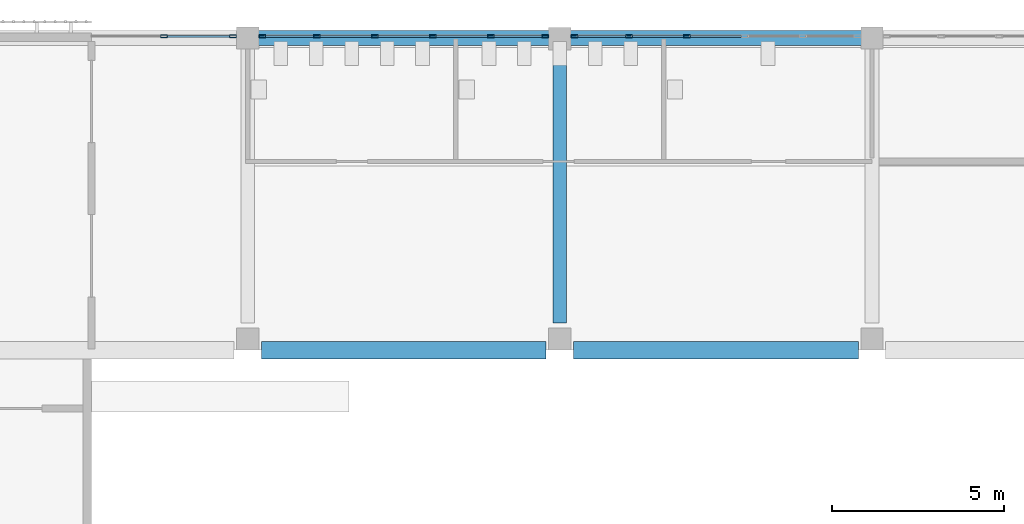
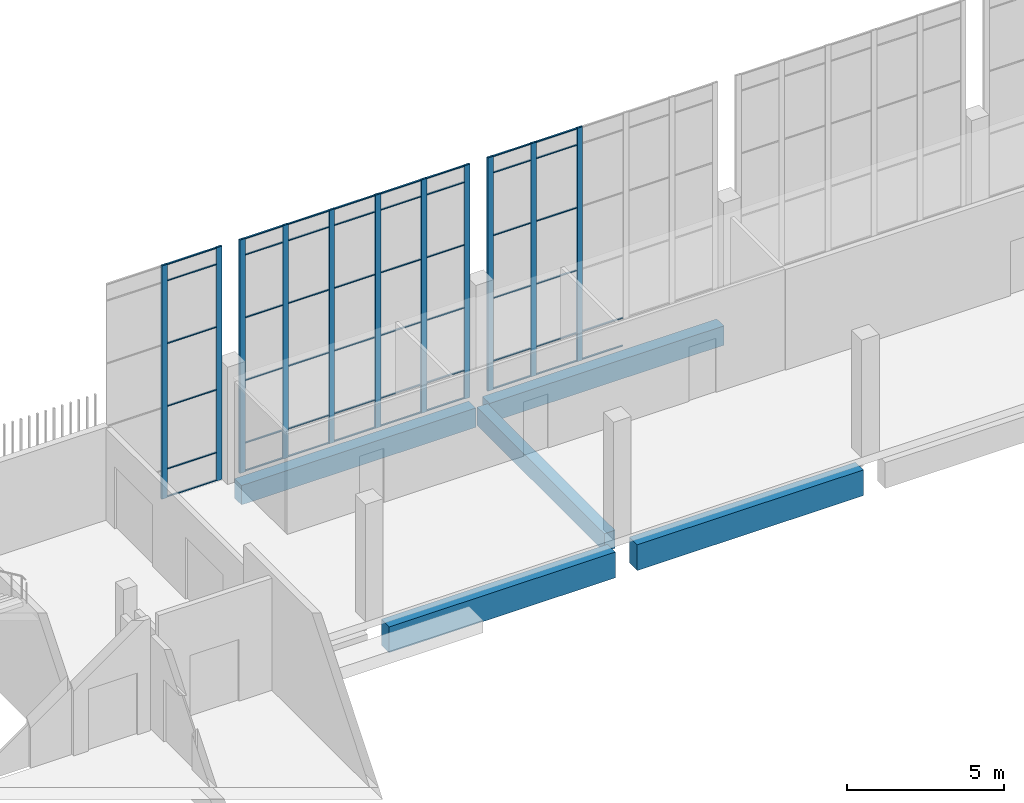
# One storey, part 18 of 91: 61 members, 5 beams, 3 elements without a shape of their own.
"""IFC4 building model written with IfcOpenShell, lengths in metres."""

from ifc_helpers import new_model, si_unit, direction, frame, origin, origin_2d, place, context, subcontext, project, spatial, rectangle, hollow_rectangle, extrude, material, layer, layer_set, material_profile, profile_set, type_object, element, aggregate, save


model = new_model("IFC4")

# Units and contexts
model_context = context("Model", 3, precision=1e-05, world=origin(), true_north=direction((0.0, 1.0)))
body_context = subcontext(model_context, "Body", "Model", "MODEL_VIEW")
ifc_project = project(units=[si_unit("LENGTHUNIT", "METRE"), si_unit("AREAUNIT", "SQUARE_METRE"), si_unit("VOLUMEUNIT", "CUBIC_METRE"), si_unit("PLANEANGLEUNIT", "RADIAN"), si_unit("MASSUNIT", "GRAM", prefix="KILO")], contexts=[model_context])

# Site, building, storey
site_placement = place(None, origin())
site = spatial("IfcSite", under=ifc_project, at=site_placement, CompositionType="ELEMENT")
building_placement = place(site_placement, origin())
building = spatial("IfcBuilding", under=site, at=building_placement, Name="Shirokan Park Arena", CompositionType="ELEMENT")
storey_placement = place(building_placement, frame((0.0, 0.0, 24.570068359375)))
storey = spatial("IfcBuildingStorey", under=building, at=storey_placement, Name="L05", CompositionType="ELEMENT", Elevation=24.570068359375)

# Curtain wall, members
ifc_material_1 = material(Name="Steel and glass curtain wall", Category="steel")
ifc_layer = layer(ifc_material_1, 0.199951171875)
ifc_layer_set = layer_set([ifc_layer], Name="Steel and glass curtain wall 200 mm")
curtain_wall_type = type_object("IfcCurtainWallType", Name="Curtain wall hall bay 200", PredefinedType="NOTDEFINED", material=ifc_layer_set)
curtain_wall_1_placement = place(storey_placement, origin())
curtain_wall_1 = element("IfcCurtainWall", 1, at=curtain_wall_1_placement, inside=storey, type_object=curtain_wall_type, Name="Curtain wall north bay 10 L05", PredefinedType="NOTDEFINED")
ifc_material_2 = material(Name="Steel S355", Category="steel")
ifc_material_profile_1 = material_profile(ifc_material_2, hollow_rectangle(XDim=0.080078125, YDim=0.199951171875, WallThickness=0.008056640625, at=origin_2d()), Name="RHS 200x80x8")
ifc_profile_set_1 = profile_set([ifc_material_profile_1], Name="Steel S355")
member_type_1 = type_object("IfcMemberType", Name="Mullion RHS 200x80x8", PredefinedType="MULLION", material=ifc_profile_set_1)
member_1_placement = place(storey_placement, frame((58.304931640625, 109.25, 0.0), z_axis=(0.0, 0.0, 1.0), x_axis=(0.0, -1.0, 0.0)))
member_1 = element("IfcMember", 2, at=member_1_placement, type_object=member_type_1, Name="CW5 mullion 4", PredefinedType="MULLION", context=body_context, shape_type="SweptSolid", body=[
    extrude(hollow_rectangle(XDim=0.080078125, YDim=0.199951171875, WallThickness=0.008056640625, at=origin_2d()), origin(), (0.0, 0.0, 1.0), 9.050048828125),
])
member_2_placement = place(storey_placement, frame((56.614990234375, 109.25, 0.0), z_axis=(0.0, 0.0, 1.0), x_axis=(0.0, -1.0, 0.0)))
member_2 = element("IfcMember", 3, at=member_2_placement, type_object=member_type_1, Name="CW5 mullion 5", PredefinedType="MULLION", context=body_context, shape_type="SweptSolid", body=[
    extrude(hollow_rectangle(XDim=0.080078125, YDim=0.199951171875, WallThickness=0.008056640625, at=origin_2d()), origin(), (0.0, 0.0, 1.0), 9.050048828125),
])
member_3_placement = place(storey_placement, frame((55.02490234375, 109.25, 0.0), z_axis=(0.0, 0.0, 1.0), x_axis=(0.0, -1.0, 0.0)))
member_3 = element("IfcMember", 4, at=member_3_placement, type_object=member_type_1, Name="CW5 mullion 6", PredefinedType="MULLION", context=body_context, shape_type="SweptSolid", body=[
    extrude(hollow_rectangle(XDim=0.080078125, YDim=0.199951171875, WallThickness=0.008056640625, at=origin_2d()), origin(), (0.0, 0.0, 1.0), 9.050048828125),
])

curtain_wall_2_placement = place(storey_placement, origin())
curtain_wall_2 = element("IfcCurtainWall", 5, at=curtain_wall_2_placement, inside=storey, type_object=curtain_wall_type, Name="Curtain wall north bay 11 L05", PredefinedType="NOTDEFINED")
member_4_placement = place(storey_placement, frame((54.175048828125, 109.25, 0.0), z_axis=(0.0, 0.0, 1.0), x_axis=(0.0, -1.0, 0.0)))
member_4 = element("IfcMember", 6, at=member_4_placement, type_object=member_type_1, Name="CW5 mullion 1", PredefinedType="MULLION", context=body_context, shape_type="SweptSolid", body=[
    extrude(hollow_rectangle(XDim=0.080078125, YDim=0.199951171875, WallThickness=0.008056640625, at=origin_2d()), origin(), (0.0, 0.0, 1.0), 9.050048828125),
])
member_5_placement = place(storey_placement, frame((52.5849609375, 109.25, 0.0), z_axis=(0.0, 0.0, 1.0), x_axis=(0.0, -1.0, 0.0)))
member_5 = element("IfcMember", 7, at=member_5_placement, type_object=member_type_1, Name="CW5 mullion 2", PredefinedType="MULLION", context=body_context, shape_type="SweptSolid", body=[
    extrude(hollow_rectangle(XDim=0.080078125, YDim=0.199951171875, WallThickness=0.008056640625, at=origin_2d()), origin(), (0.0, 0.0, 1.0), 9.050048828125),
])
member_6_placement = place(storey_placement, frame((50.89501953125, 109.25, 0.0), z_axis=(0.0, 0.0, 1.0), x_axis=(0.0, -1.0, 0.0)))
member_6 = element("IfcMember", 8, at=member_6_placement, type_object=member_type_1, Name="CW5 mullion 3", PredefinedType="MULLION", context=body_context, shape_type="SweptSolid", body=[
    extrude(hollow_rectangle(XDim=0.080078125, YDim=0.199951171875, WallThickness=0.008056640625, at=origin_2d()), origin(), (0.0, 0.0, 1.0), 9.050048828125),
])
member_7_placement = place(storey_placement, frame((49.205078125, 109.25, 0.0), z_axis=(0.0, 0.0, 1.0), x_axis=(0.0, -1.0, 0.0)))
member_7 = element("IfcMember", 9, at=member_7_placement, type_object=member_type_1, Name="CW5 mullion 4", PredefinedType="MULLION", context=body_context, shape_type="SweptSolid", body=[
    extrude(hollow_rectangle(XDim=0.080078125, YDim=0.199951171875, WallThickness=0.008056640625, at=origin_2d()), origin(), (0.0, 0.0, 1.0), 9.050048828125),
])
member_8_placement = place(storey_placement, frame((47.514892578125, 109.25, 0.0), z_axis=(0.0, 0.0, 1.0), x_axis=(0.0, -1.0, 0.0)))
member_8 = element("IfcMember", 10, at=member_8_placement, type_object=member_type_1, Name="CW5 mullion 5", PredefinedType="MULLION", context=body_context, shape_type="SweptSolid", body=[
    extrude(hollow_rectangle(XDim=0.080078125, YDim=0.199951171875, WallThickness=0.008056640625, at=origin_2d()), origin(), (0.0, 0.0, 1.0), 9.050048828125),
])
member_9_placement = place(storey_placement, frame((45.925048828125, 109.25, 0.0), z_axis=(0.0, 0.0, 1.0), x_axis=(0.0, -1.0, 0.0)))
member_9 = element("IfcMember", 11, at=member_9_placement, type_object=member_type_1, Name="CW5 mullion 6", PredefinedType="MULLION", context=body_context, shape_type="SweptSolid", body=[
    extrude(hollow_rectangle(XDim=0.080078125, YDim=0.199951171875, WallThickness=0.008056640625, at=origin_2d()), origin(), (0.0, 0.0, 1.0), 9.050048828125),
])

curtain_wall_3_placement = place(storey_placement, origin())
curtain_wall_3 = element("IfcCurtainWall", 12, at=curtain_wall_3_placement, inside=storey, type_object=curtain_wall_type, Name="Curtain wall north bay 12 L05", PredefinedType="NOTDEFINED")
member_10_placement = place(storey_placement, frame((45.074951171875, 109.25, 0.0), z_axis=(0.0, 0.0, 1.0), x_axis=(0.0, -1.0, 0.0)))
member_10 = element("IfcMember", 13, at=member_10_placement, type_object=member_type_1, Name="CW5 mullion 1", PredefinedType="MULLION", context=body_context, shape_type="SweptSolid", body=[
    extrude(hollow_rectangle(XDim=0.080078125, YDim=0.199951171875, WallThickness=0.008056640625, at=origin_2d()), origin(), (0.0, 0.0, 1.0), 9.050048828125),
])
member_11_placement = place(storey_placement, frame((43.0625, 109.25, 0.0), z_axis=(0.0, 0.0, 1.0), x_axis=(0.0, -1.0, 0.0)))
member_11 = element("IfcMember", 14, at=member_11_placement, type_object=member_type_1, Name="CW5 mullion 2", PredefinedType="MULLION", context=body_context, shape_type="SweptSolid", body=[
    extrude(hollow_rectangle(XDim=0.080078125, YDim=0.199951171875, WallThickness=0.008056640625, at=origin_2d()), origin(), (0.0, 0.0, 1.0), 9.050048828125),
])

# Beams
ifc_material_3 = material(Name="Concrete C35", Category="concrete")
ifc_material_profile_2 = material_profile(ifc_material_3, rectangle(XDim=0.39990234375, YDim=0.699951171875, at=origin_2d()), Name="400x700")
ifc_profile_set_2 = profile_set([ifc_material_profile_2], Name="Concrete C35")
beam_type_1 = type_object("IfcBeamType", Name="RC girder 400x700", PredefinedType="BEAM", material=ifc_profile_set_2)
beam_placement = place(storey_placement, frame((54.60009765625, 100.900146484375, -0.650146484375), z_axis=(0.0, 1.0, 0.0), x_axis=(-1.0, 0.0, 0.0)))
element("IfcBeam", 15, at=beam_placement, inside=storey, type_object=beam_type_1, Name="Girder 7M-7N L05", PredefinedType="BEAM", context=body_context, shape_type="SweptSolid", body=[
    extrude(rectangle(XDim=0.39990234375, YDim=0.699951171875, at=origin_2d()), origin(), (0.0, 0.0, 1.0), 8.099853515625),
])
ifc_material_profile_3 = material_profile(ifc_material_3, rectangle(XDim=0.449951171875, YDim=0.75, at=origin_2d()), Name="450x750")
ifc_profile_set_3 = profile_set([ifc_material_profile_3], Name="Concrete C35")
beam_type_2 = type_object("IfcBeamType", Name="RC girder 450x750", PredefinedType="BEAM", material=ifc_profile_set_3)
for number, where, z_axis, x_axis, name in (
    (16, (45.75, 109.199951171875, -0.675048828125), (1.0, 0.0, 0.0), (0.0, 1.0, 0.0), "Girder 6N-7N L05"),
    (17, (54.85009765625, 109.199951171875, -0.675048828125), (1.0, 0.0, 0.0), (0.0, 1.0, 0.0), "Girder 7N-8N L05"),
):
    element("IfcBeam", number, at=place(storey_placement, frame(where, z_axis=z_axis, x_axis=x_axis)), inside=storey, type_object=beam_type_2, Name=name, PredefinedType="BEAM", context=body_context, shape_type="SweptSolid", body=[
        extrude(rectangle(XDim=0.449951171875, YDim=0.75, at=origin_2d()), origin(), (0.0, 0.0, 1.0), 8.599853515625),
    ])
ifc_material_profile_4 = material_profile(ifc_material_3, rectangle(XDim=0.5, YDim=1.0, at=origin_2d()), Name="500x1000")
ifc_profile_set_4 = profile_set([ifc_material_profile_4], Name="Concrete C35")
beam_type_3 = type_object("IfcBeamType", Name="RC girder 500x1000", PredefinedType="BEAM", material=ifc_profile_set_4)
for number, where, z_axis, x_axis, name in (
    (18, (45.900146484375, 100.10009765625, -0.800048828125), (1.0, 0.0, 0.0), (0.0, 1.0, 0.0), "Girder 6M-7M L05"),
    (19, (55.0, 100.10009765625, -0.800048828125), (1.0, 0.0, 0.0), (0.0, 1.0, 0.0), "Girder 7M-8M L05"),
):
    element("IfcBeam", number, at=place(storey_placement, frame(where, z_axis=z_axis, x_axis=x_axis)), inside=storey, type_object=beam_type_3, Name=name, PredefinedType="BEAM", context=body_context, shape_type="SweptSolid", body=[
        extrude(rectangle(XDim=0.5, YDim=1.0, at=origin_2d()), origin(), (0.0, 0.0, 1.0), 8.2998046875),
    ])

# Member
ifc_material_profile_5 = material_profile(ifc_material_2, hollow_rectangle(XDim=0.06005859375, YDim=0.0400390625, WallThickness=0.00390625, at=origin_2d()), Name="RHS 60x40x4")
ifc_profile_set_5 = profile_set([ifc_material_profile_5], Name="Steel S355")
member_type_2 = type_object("IfcMemberType", Name="Transom RHS 60x40x4", PredefinedType="MULLION", material=ifc_profile_set_5)
member_12_placement = place(storey_placement, frame((59.89501953125, 109.25, 0.02001953125), z_axis=(-1.0, 0.0, 0.0), x_axis=(0.0, -1.0, 0.0)))
member_12 = element("IfcMember", 20, at=member_12_placement, type_object=member_type_2, Name="CW5 transom 3.1", PredefinedType="MULLION", context=body_context, shape_type="SweptSolid", body=[
    extrude(hollow_rectangle(XDim=0.06005859375, YDim=0.0400390625, WallThickness=0.00390625, at=origin_2d()), origin(), (0.0, 0.0, 1.0), 1.489990234375),
])

member_13_placement = place(storey_placement, frame((59.89501953125, 109.25, 1.099853515625), z_axis=(-1.0, 0.0, 0.0), x_axis=(0.0, -1.0, 0.0)))
member_13 = element("IfcMember", 21, at=member_13_placement, type_object=member_type_2, Name="CW5 transom 3.2", PredefinedType="MULLION", context=body_context, shape_type="SweptSolid", body=[
    extrude(hollow_rectangle(XDim=0.06005859375, YDim=0.0400390625, WallThickness=0.00390625, at=origin_2d()), origin(), (0.0, 0.0, 1.0), 1.489990234375),
])

member_14_placement = place(storey_placement, frame((58.205078125, 109.25, 0.02001953125), z_axis=(-1.0, 0.0, 0.0), x_axis=(0.0, -1.0, 0.0)))
member_14 = element("IfcMember", 22, at=member_14_placement, type_object=member_type_2, Name="CW5 transom 4.1", PredefinedType="MULLION", context=body_context, shape_type="SweptSolid", body=[
    extrude(hollow_rectangle(XDim=0.06005859375, YDim=0.0400390625, WallThickness=0.00390625, at=origin_2d()), origin(), (0.0, 0.0, 1.0), 1.489990234375),
])

member_15_placement = place(storey_placement, frame((58.205078125, 109.25, 1.099853515625), z_axis=(-1.0, 0.0, 0.0), x_axis=(0.0, -1.0, 0.0)))
member_15 = element("IfcMember", 23, at=member_15_placement, type_object=member_type_2, Name="CW5 transom 4.2", PredefinedType="MULLION", context=body_context, shape_type="SweptSolid", body=[
    extrude(hollow_rectangle(XDim=0.06005859375, YDim=0.0400390625, WallThickness=0.00390625, at=origin_2d()), origin(), (0.0, 0.0, 1.0), 1.489990234375),
])

member_16_placement = place(storey_placement, frame((58.205078125, 109.25, 3.533203125), z_axis=(-1.0, 0.0, 0.0), x_axis=(0.0, -1.0, 0.0)))
member_16 = element("IfcMember", 24, at=member_16_placement, type_object=member_type_2, Name="CW5 transom 4.3", PredefinedType="MULLION", context=body_context, shape_type="SweptSolid", body=[
    extrude(hollow_rectangle(XDim=0.06005859375, YDim=0.0400390625, WallThickness=0.00390625, at=origin_2d()), origin(), (0.0, 0.0, 1.0), 1.489990234375),
])

member_17_placement = place(storey_placement, frame((58.205078125, 109.25, 5.966552734375), z_axis=(-1.0, 0.0, 0.0), x_axis=(0.0, -1.0, 0.0)))
member_17 = element("IfcMember", 25, at=member_17_placement, type_object=member_type_2, Name="CW5 transom 4.4", PredefinedType="MULLION", context=body_context, shape_type="SweptSolid", body=[
    extrude(hollow_rectangle(XDim=0.06005859375, YDim=0.0400390625, WallThickness=0.00390625, at=origin_2d()), origin(), (0.0, 0.0, 1.0), 1.489990234375),
])

member_18_placement = place(storey_placement, frame((58.205078125, 109.25, 8.39990234375), z_axis=(-1.0, 0.0, 0.0), x_axis=(0.0, -1.0, 0.0)))
member_18 = element("IfcMember", 26, at=member_18_placement, type_object=member_type_2, Name="CW5 transom 4.5", PredefinedType="MULLION", context=body_context, shape_type="SweptSolid", body=[
    extrude(hollow_rectangle(XDim=0.06005859375, YDim=0.0400390625, WallThickness=0.00390625, at=origin_2d()), origin(), (0.0, 0.0, 1.0), 1.489990234375),
])

member_19_placement = place(storey_placement, frame((58.205078125, 109.25, 9.030029296875), z_axis=(-1.0, 0.0, 0.0), x_axis=(0.0, -1.0, 0.0)))
member_19 = element("IfcMember", 27, at=member_19_placement, type_object=member_type_2, Name="CW5 transom 4.6", PredefinedType="MULLION", context=body_context, shape_type="SweptSolid", body=[
    extrude(hollow_rectangle(XDim=0.06005859375, YDim=0.0400390625, WallThickness=0.00390625, at=origin_2d()), origin(), (0.0, 0.0, 1.0), 1.489990234375),
])

member_20_placement = place(storey_placement, frame((56.514892578125, 109.25, 0.02001953125), z_axis=(-1.0, 0.0, 0.0), x_axis=(0.0, -1.0, 0.0)))
member_20 = element("IfcMember", 28, at=member_20_placement, type_object=member_type_2, Name="CW5 transom 5.1", PredefinedType="MULLION", context=body_context, shape_type="SweptSolid", body=[
    extrude(hollow_rectangle(XDim=0.06005859375, YDim=0.0400390625, WallThickness=0.00390625, at=origin_2d()), origin(), (0.0, 0.0, 1.0), 1.389892578125),
])

member_21_placement = place(storey_placement, frame((56.514892578125, 109.25, 1.099853515625), z_axis=(-1.0, 0.0, 0.0), x_axis=(0.0, -1.0, 0.0)))
member_21 = element("IfcMember", 29, at=member_21_placement, type_object=member_type_2, Name="CW5 transom 5.2", PredefinedType="MULLION", context=body_context, shape_type="SweptSolid", body=[
    extrude(hollow_rectangle(XDim=0.06005859375, YDim=0.0400390625, WallThickness=0.00390625, at=origin_2d()), origin(), (0.0, 0.0, 1.0), 1.389892578125),
])

member_22_placement = place(storey_placement, frame((56.514892578125, 109.25, 3.533203125), z_axis=(-1.0, 0.0, 0.0), x_axis=(0.0, -1.0, 0.0)))
member_22 = element("IfcMember", 30, at=member_22_placement, type_object=member_type_2, Name="CW5 transom 5.3", PredefinedType="MULLION", context=body_context, shape_type="SweptSolid", body=[
    extrude(hollow_rectangle(XDim=0.06005859375, YDim=0.0400390625, WallThickness=0.00390625, at=origin_2d()), origin(), (0.0, 0.0, 1.0), 1.389892578125),
])

member_23_placement = place(storey_placement, frame((56.514892578125, 109.25, 5.966552734375), z_axis=(-1.0, 0.0, 0.0), x_axis=(0.0, -1.0, 0.0)))
member_23 = element("IfcMember", 31, at=member_23_placement, type_object=member_type_2, Name="CW5 transom 5.4", PredefinedType="MULLION", context=body_context, shape_type="SweptSolid", body=[
    extrude(hollow_rectangle(XDim=0.06005859375, YDim=0.0400390625, WallThickness=0.00390625, at=origin_2d()), origin(), (0.0, 0.0, 1.0), 1.389892578125),
])

member_24_placement = place(storey_placement, frame((56.514892578125, 109.25, 8.39990234375), z_axis=(-1.0, 0.0, 0.0), x_axis=(0.0, -1.0, 0.0)))
member_24 = element("IfcMember", 32, at=member_24_placement, type_object=member_type_2, Name="CW5 transom 5.5", PredefinedType="MULLION", context=body_context, shape_type="SweptSolid", body=[
    extrude(hollow_rectangle(XDim=0.06005859375, YDim=0.0400390625, WallThickness=0.00390625, at=origin_2d()), origin(), (0.0, 0.0, 1.0), 1.389892578125),
])

member_25_placement = place(storey_placement, frame((56.514892578125, 109.25, 9.030029296875), z_axis=(-1.0, 0.0, 0.0), x_axis=(0.0, -1.0, 0.0)))
member_25 = element("IfcMember", 33, at=member_25_placement, type_object=member_type_2, Name="CW5 transom 5.6", PredefinedType="MULLION", context=body_context, shape_type="SweptSolid", body=[
    extrude(hollow_rectangle(XDim=0.06005859375, YDim=0.0400390625, WallThickness=0.00390625, at=origin_2d()), origin(), (0.0, 0.0, 1.0), 1.389892578125),
])

aggregate(curtain_wall_1, [member_1, member_2, member_3, member_12, member_13, member_14, member_15, member_16, member_17, member_18, member_19, member_20, member_21, member_22, member_23, member_24, member_25])

member_26_placement = place(storey_placement, frame((54.074951171875, 109.25, 0.02001953125), z_axis=(-1.0, 0.0, 0.0), x_axis=(0.0, -1.0, 0.0)))
member_26 = element("IfcMember", 34, at=member_26_placement, type_object=member_type_2, Name="CW5 transom 1.1", PredefinedType="MULLION", context=body_context, shape_type="SweptSolid", body=[
    extrude(hollow_rectangle(XDim=0.06005859375, YDim=0.0400390625, WallThickness=0.00390625, at=origin_2d()), origin(), (0.0, 0.0, 1.0), 1.389892578125),
])

member_27_placement = place(storey_placement, frame((54.074951171875, 109.25, 1.099853515625), z_axis=(-1.0, 0.0, 0.0), x_axis=(0.0, -1.0, 0.0)))
member_27 = element("IfcMember", 35, at=member_27_placement, type_object=member_type_2, Name="CW5 transom 1.2", PredefinedType="MULLION", context=body_context, shape_type="SweptSolid", body=[
    extrude(hollow_rectangle(XDim=0.06005859375, YDim=0.0400390625, WallThickness=0.00390625, at=origin_2d()), origin(), (0.0, 0.0, 1.0), 1.389892578125),
])

member_28_placement = place(storey_placement, frame((54.074951171875, 109.25, 3.533203125), z_axis=(-1.0, 0.0, 0.0), x_axis=(0.0, -1.0, 0.0)))
member_28 = element("IfcMember", 36, at=member_28_placement, type_object=member_type_2, Name="CW5 transom 1.3", PredefinedType="MULLION", context=body_context, shape_type="SweptSolid", body=[
    extrude(hollow_rectangle(XDim=0.06005859375, YDim=0.0400390625, WallThickness=0.00390625, at=origin_2d()), origin(), (0.0, 0.0, 1.0), 1.389892578125),
])

member_29_placement = place(storey_placement, frame((54.074951171875, 109.25, 5.966552734375), z_axis=(-1.0, 0.0, 0.0), x_axis=(0.0, -1.0, 0.0)))
member_29 = element("IfcMember", 37, at=member_29_placement, type_object=member_type_2, Name="CW5 transom 1.4", PredefinedType="MULLION", context=body_context, shape_type="SweptSolid", body=[
    extrude(hollow_rectangle(XDim=0.06005859375, YDim=0.0400390625, WallThickness=0.00390625, at=origin_2d()), origin(), (0.0, 0.0, 1.0), 1.389892578125),
])

member_30_placement = place(storey_placement, frame((54.074951171875, 109.25, 8.39990234375), z_axis=(-1.0, 0.0, 0.0), x_axis=(0.0, -1.0, 0.0)))
member_30 = element("IfcMember", 38, at=member_30_placement, type_object=member_type_2, Name="CW5 transom 1.5", PredefinedType="MULLION", context=body_context, shape_type="SweptSolid", body=[
    extrude(hollow_rectangle(XDim=0.06005859375, YDim=0.0400390625, WallThickness=0.00390625, at=origin_2d()), origin(), (0.0, 0.0, 1.0), 1.389892578125),
])

member_31_placement = place(storey_placement, frame((54.074951171875, 109.25, 9.030029296875), z_axis=(-1.0, 0.0, 0.0), x_axis=(0.0, -1.0, 0.0)))
member_31 = element("IfcMember", 39, at=member_31_placement, type_object=member_type_2, Name="CW5 transom 1.6", PredefinedType="MULLION", context=body_context, shape_type="SweptSolid", body=[
    extrude(hollow_rectangle(XDim=0.06005859375, YDim=0.0400390625, WallThickness=0.00390625, at=origin_2d()), origin(), (0.0, 0.0, 1.0), 1.389892578125),
])

member_32_placement = place(storey_placement, frame((52.485107421875, 109.25, 0.02001953125), z_axis=(-1.0, 0.0, 0.0), x_axis=(0.0, -1.0, 0.0)))
member_32 = element("IfcMember", 40, at=member_32_placement, type_object=member_type_2, Name="CW5 transom 2.1", PredefinedType="MULLION", context=body_context, shape_type="SweptSolid", body=[
    extrude(hollow_rectangle(XDim=0.06005859375, YDim=0.0400390625, WallThickness=0.00390625, at=origin_2d()), origin(), (0.0, 0.0, 1.0), 1.489990234375),
])

member_33_placement = place(storey_placement, frame((52.485107421875, 109.25, 1.099853515625), z_axis=(-1.0, 0.0, 0.0), x_axis=(0.0, -1.0, 0.0)))
member_33 = element("IfcMember", 41, at=member_33_placement, type_object=member_type_2, Name="CW5 transom 2.2", PredefinedType="MULLION", context=body_context, shape_type="SweptSolid", body=[
    extrude(hollow_rectangle(XDim=0.06005859375, YDim=0.0400390625, WallThickness=0.00390625, at=origin_2d()), origin(), (0.0, 0.0, 1.0), 1.489990234375),
])

member_34_placement = place(storey_placement, frame((52.485107421875, 109.25, 3.533203125), z_axis=(-1.0, 0.0, 0.0), x_axis=(0.0, -1.0, 0.0)))
member_34 = element("IfcMember", 42, at=member_34_placement, type_object=member_type_2, Name="CW5 transom 2.3", PredefinedType="MULLION", context=body_context, shape_type="SweptSolid", body=[
    extrude(hollow_rectangle(XDim=0.06005859375, YDim=0.0400390625, WallThickness=0.00390625, at=origin_2d()), origin(), (0.0, 0.0, 1.0), 1.489990234375),
])

member_35_placement = place(storey_placement, frame((52.485107421875, 109.25, 5.966552734375), z_axis=(-1.0, 0.0, 0.0), x_axis=(0.0, -1.0, 0.0)))
member_35 = element("IfcMember", 43, at=member_35_placement, type_object=member_type_2, Name="CW5 transom 2.4", PredefinedType="MULLION", context=body_context, shape_type="SweptSolid", body=[
    extrude(hollow_rectangle(XDim=0.06005859375, YDim=0.0400390625, WallThickness=0.00390625, at=origin_2d()), origin(), (0.0, 0.0, 1.0), 1.489990234375),
])

member_36_placement = place(storey_placement, frame((52.485107421875, 109.25, 8.39990234375), z_axis=(-1.0, 0.0, 0.0), x_axis=(0.0, -1.0, 0.0)))
member_36 = element("IfcMember", 44, at=member_36_placement, type_object=member_type_2, Name="CW5 transom 2.5", PredefinedType="MULLION", context=body_context, shape_type="SweptSolid", body=[
    extrude(hollow_rectangle(XDim=0.06005859375, YDim=0.0400390625, WallThickness=0.00390625, at=origin_2d()), origin(), (0.0, 0.0, 1.0), 1.489990234375),
])

member_37_placement = place(storey_placement, frame((52.485107421875, 109.25, 9.030029296875), z_axis=(-1.0, 0.0, 0.0), x_axis=(0.0, -1.0, 0.0)))
member_37 = element("IfcMember", 45, at=member_37_placement, type_object=member_type_2, Name="CW5 transom 2.6", PredefinedType="MULLION", context=body_context, shape_type="SweptSolid", body=[
    extrude(hollow_rectangle(XDim=0.06005859375, YDim=0.0400390625, WallThickness=0.00390625, at=origin_2d()), origin(), (0.0, 0.0, 1.0), 1.489990234375),
])

member_38_placement = place(storey_placement, frame((50.794921875, 109.25, 0.02001953125), z_axis=(-1.0, 0.0, 0.0), x_axis=(0.0, -1.0, 0.0)))
member_38 = element("IfcMember", 46, at=member_38_placement, type_object=member_type_2, Name="CW5 transom 3.1", PredefinedType="MULLION", context=body_context, shape_type="SweptSolid", body=[
    extrude(hollow_rectangle(XDim=0.06005859375, YDim=0.0400390625, WallThickness=0.00390625, at=origin_2d()), origin(), (0.0, 0.0, 1.0), 1.489990234375),
])

member_39_placement = place(storey_placement, frame((50.794921875, 109.25, 1.099853515625), z_axis=(-1.0, 0.0, 0.0), x_axis=(0.0, -1.0, 0.0)))
member_39 = element("IfcMember", 47, at=member_39_placement, type_object=member_type_2, Name="CW5 transom 3.2", PredefinedType="MULLION", context=body_context, shape_type="SweptSolid", body=[
    extrude(hollow_rectangle(XDim=0.06005859375, YDim=0.0400390625, WallThickness=0.00390625, at=origin_2d()), origin(), (0.0, 0.0, 1.0), 1.489990234375),
])

member_40_placement = place(storey_placement, frame((50.794921875, 109.25, 3.533203125), z_axis=(-1.0, 0.0, 0.0), x_axis=(0.0, -1.0, 0.0)))
member_40 = element("IfcMember", 48, at=member_40_placement, type_object=member_type_2, Name="CW5 transom 3.3", PredefinedType="MULLION", context=body_context, shape_type="SweptSolid", body=[
    extrude(hollow_rectangle(XDim=0.06005859375, YDim=0.0400390625, WallThickness=0.00390625, at=origin_2d()), origin(), (0.0, 0.0, 1.0), 1.489990234375),
])

member_41_placement = place(storey_placement, frame((50.794921875, 109.25, 5.966552734375), z_axis=(-1.0, 0.0, 0.0), x_axis=(0.0, -1.0, 0.0)))
member_41 = element("IfcMember", 49, at=member_41_placement, type_object=member_type_2, Name="CW5 transom 3.4", PredefinedType="MULLION", context=body_context, shape_type="SweptSolid", body=[
    extrude(hollow_rectangle(XDim=0.06005859375, YDim=0.0400390625, WallThickness=0.00390625, at=origin_2d()), origin(), (0.0, 0.0, 1.0), 1.489990234375),
])

member_42_placement = place(storey_placement, frame((50.794921875, 109.25, 8.39990234375), z_axis=(-1.0, 0.0, 0.0), x_axis=(0.0, -1.0, 0.0)))
member_42 = element("IfcMember", 50, at=member_42_placement, type_object=member_type_2, Name="CW5 transom 3.5", PredefinedType="MULLION", context=body_context, shape_type="SweptSolid", body=[
    extrude(hollow_rectangle(XDim=0.06005859375, YDim=0.0400390625, WallThickness=0.00390625, at=origin_2d()), origin(), (0.0, 0.0, 1.0), 1.489990234375),
])

member_43_placement = place(storey_placement, frame((50.794921875, 109.25, 9.030029296875), z_axis=(-1.0, 0.0, 0.0), x_axis=(0.0, -1.0, 0.0)))
member_43 = element("IfcMember", 51, at=member_43_placement, type_object=member_type_2, Name="CW5 transom 3.6", PredefinedType="MULLION", context=body_context, shape_type="SweptSolid", body=[
    extrude(hollow_rectangle(XDim=0.06005859375, YDim=0.0400390625, WallThickness=0.00390625, at=origin_2d()), origin(), (0.0, 0.0, 1.0), 1.489990234375),
])

member_44_placement = place(storey_placement, frame((49.10498046875, 109.25, 0.02001953125), z_axis=(-1.0, 0.0, 0.0), x_axis=(0.0, -1.0, 0.0)))
member_44 = element("IfcMember", 52, at=member_44_placement, type_object=member_type_2, Name="CW5 transom 4.1", PredefinedType="MULLION", context=body_context, shape_type="SweptSolid", body=[
    extrude(hollow_rectangle(XDim=0.06005859375, YDim=0.0400390625, WallThickness=0.00390625, at=origin_2d()), origin(), (0.0, 0.0, 1.0), 1.489990234375),
])

member_45_placement = place(storey_placement, frame((49.10498046875, 109.25, 1.099853515625), z_axis=(-1.0, 0.0, 0.0), x_axis=(0.0, -1.0, 0.0)))
member_45 = element("IfcMember", 53, at=member_45_placement, type_object=member_type_2, Name="CW5 transom 4.2", PredefinedType="MULLION", context=body_context, shape_type="SweptSolid", body=[
    extrude(hollow_rectangle(XDim=0.06005859375, YDim=0.0400390625, WallThickness=0.00390625, at=origin_2d()), origin(), (0.0, 0.0, 1.0), 1.489990234375),
])

member_46_placement = place(storey_placement, frame((49.10498046875, 109.25, 3.533203125), z_axis=(-1.0, 0.0, 0.0), x_axis=(0.0, -1.0, 0.0)))
member_46 = element("IfcMember", 54, at=member_46_placement, type_object=member_type_2, Name="CW5 transom 4.3", PredefinedType="MULLION", context=body_context, shape_type="SweptSolid", body=[
    extrude(hollow_rectangle(XDim=0.06005859375, YDim=0.0400390625, WallThickness=0.00390625, at=origin_2d()), origin(), (0.0, 0.0, 1.0), 1.489990234375),
])

member_47_placement = place(storey_placement, frame((49.10498046875, 109.25, 5.966552734375), z_axis=(-1.0, 0.0, 0.0), x_axis=(0.0, -1.0, 0.0)))
member_47 = element("IfcMember", 55, at=member_47_placement, type_object=member_type_2, Name="CW5 transom 4.4", PredefinedType="MULLION", context=body_context, shape_type="SweptSolid", body=[
    extrude(hollow_rectangle(XDim=0.06005859375, YDim=0.0400390625, WallThickness=0.00390625, at=origin_2d()), origin(), (0.0, 0.0, 1.0), 1.489990234375),
])

member_48_placement = place(storey_placement, frame((49.10498046875, 109.25, 8.39990234375), z_axis=(-1.0, 0.0, 0.0), x_axis=(0.0, -1.0, 0.0)))
member_48 = element("IfcMember", 56, at=member_48_placement, type_object=member_type_2, Name="CW5 transom 4.5", PredefinedType="MULLION", context=body_context, shape_type="SweptSolid", body=[
    extrude(hollow_rectangle(XDim=0.06005859375, YDim=0.0400390625, WallThickness=0.00390625, at=origin_2d()), origin(), (0.0, 0.0, 1.0), 1.489990234375),
])

member_49_placement = place(storey_placement, frame((49.10498046875, 109.25, 9.030029296875), z_axis=(-1.0, 0.0, 0.0), x_axis=(0.0, -1.0, 0.0)))
member_49 = element("IfcMember", 57, at=member_49_placement, type_object=member_type_2, Name="CW5 transom 4.6", PredefinedType="MULLION", context=body_context, shape_type="SweptSolid", body=[
    extrude(hollow_rectangle(XDim=0.06005859375, YDim=0.0400390625, WallThickness=0.00390625, at=origin_2d()), origin(), (0.0, 0.0, 1.0), 1.489990234375),
])

member_50_placement = place(storey_placement, frame((47.4150390625, 109.25, 0.02001953125), z_axis=(-1.0, 0.0, 0.0), x_axis=(0.0, -1.0, 0.0)))
member_50 = element("IfcMember", 58, at=member_50_placement, type_object=member_type_2, Name="CW5 transom 5.1", PredefinedType="MULLION", context=body_context, shape_type="SweptSolid", body=[
    extrude(hollow_rectangle(XDim=0.06005859375, YDim=0.0400390625, WallThickness=0.00390625, at=origin_2d()), origin(), (0.0, 0.0, 1.0), 1.39013671875),
])

member_51_placement = place(storey_placement, frame((47.4150390625, 109.25, 1.099853515625), z_axis=(-1.0, 0.0, 0.0), x_axis=(0.0, -1.0, 0.0)))
member_51 = element("IfcMember", 59, at=member_51_placement, type_object=member_type_2, Name="CW5 transom 5.2", PredefinedType="MULLION", context=body_context, shape_type="SweptSolid", body=[
    extrude(hollow_rectangle(XDim=0.06005859375, YDim=0.0400390625, WallThickness=0.00390625, at=origin_2d()), origin(), (0.0, 0.0, 1.0), 1.39013671875),
])

member_52_placement = place(storey_placement, frame((47.4150390625, 109.25, 3.533203125), z_axis=(-1.0, 0.0, 0.0), x_axis=(0.0, -1.0, 0.0)))
member_52 = element("IfcMember", 60, at=member_52_placement, type_object=member_type_2, Name="CW5 transom 5.3", PredefinedType="MULLION", context=body_context, shape_type="SweptSolid", body=[
    extrude(hollow_rectangle(XDim=0.06005859375, YDim=0.0400390625, WallThickness=0.00390625, at=origin_2d()), origin(), (0.0, 0.0, 1.0), 1.39013671875),
])

member_53_placement = place(storey_placement, frame((47.4150390625, 109.25, 5.966552734375), z_axis=(-1.0, 0.0, 0.0), x_axis=(0.0, -1.0, 0.0)))
member_53 = element("IfcMember", 61, at=member_53_placement, type_object=member_type_2, Name="CW5 transom 5.4", PredefinedType="MULLION", context=body_context, shape_type="SweptSolid", body=[
    extrude(hollow_rectangle(XDim=0.06005859375, YDim=0.0400390625, WallThickness=0.00390625, at=origin_2d()), origin(), (0.0, 0.0, 1.0), 1.39013671875),
])

member_54_placement = place(storey_placement, frame((47.4150390625, 109.25, 8.39990234375), z_axis=(-1.0, 0.0, 0.0), x_axis=(0.0, -1.0, 0.0)))
member_54 = element("IfcMember", 62, at=member_54_placement, type_object=member_type_2, Name="CW5 transom 5.5", PredefinedType="MULLION", context=body_context, shape_type="SweptSolid", body=[
    extrude(hollow_rectangle(XDim=0.06005859375, YDim=0.0400390625, WallThickness=0.00390625, at=origin_2d()), origin(), (0.0, 0.0, 1.0), 1.39013671875),
])

member_55_placement = place(storey_placement, frame((47.4150390625, 109.25, 9.030029296875), z_axis=(-1.0, 0.0, 0.0), x_axis=(0.0, -1.0, 0.0)))
member_55 = element("IfcMember", 63, at=member_55_placement, type_object=member_type_2, Name="CW5 transom 5.6", PredefinedType="MULLION", context=body_context, shape_type="SweptSolid", body=[
    extrude(hollow_rectangle(XDim=0.06005859375, YDim=0.0400390625, WallThickness=0.00390625, at=origin_2d()), origin(), (0.0, 0.0, 1.0), 1.39013671875),
])

aggregate(curtain_wall_2, [member_4, member_5, member_6, member_7, member_8, member_9, member_26, member_27, member_28, member_29, member_30, member_31, member_32, member_33, member_34, member_35, member_36, member_37, member_38, member_39, member_40, member_41, member_42, member_43, member_44, member_45, member_46, member_47, member_48, member_49, member_50, member_51, member_52, member_53, member_54, member_55])

member_56_placement = place(storey_placement, frame((44.97509765625, 109.25, 0.02001953125), z_axis=(-1.0, 0.0, 0.0), x_axis=(0.0, -1.0, 0.0)))
member_56 = element("IfcMember", 64, at=member_56_placement, type_object=member_type_2, Name="CW5 transom 1.1", PredefinedType="MULLION", context=body_context, shape_type="SweptSolid", body=[
    extrude(hollow_rectangle(XDim=0.06005859375, YDim=0.0400390625, WallThickness=0.00390625, at=origin_2d()), origin(), (0.0, 0.0, 1.0), 1.8125),
])

member_57_placement = place(storey_placement, frame((44.97509765625, 109.25, 1.099853515625), z_axis=(-1.0, 0.0, 0.0), x_axis=(0.0, -1.0, 0.0)))
member_57 = element("IfcMember", 65, at=member_57_placement, type_object=member_type_2, Name="CW5 transom 1.2", PredefinedType="MULLION", context=body_context, shape_type="SweptSolid", body=[
    extrude(hollow_rectangle(XDim=0.06005859375, YDim=0.0400390625, WallThickness=0.00390625, at=origin_2d()), origin(), (0.0, 0.0, 1.0), 1.8125),
])

member_58_placement = place(storey_placement, frame((44.97509765625, 109.25, 3.533203125), z_axis=(-1.0, 0.0, 0.0), x_axis=(0.0, -1.0, 0.0)))
member_58 = element("IfcMember", 66, at=member_58_placement, type_object=member_type_2, Name="CW5 transom 1.3", PredefinedType="MULLION", context=body_context, shape_type="SweptSolid", body=[
    extrude(hollow_rectangle(XDim=0.06005859375, YDim=0.0400390625, WallThickness=0.00390625, at=origin_2d()), origin(), (0.0, 0.0, 1.0), 1.8125),
])

member_59_placement = place(storey_placement, frame((44.97509765625, 109.25, 5.966552734375), z_axis=(-1.0, 0.0, 0.0), x_axis=(0.0, -1.0, 0.0)))
member_59 = element("IfcMember", 67, at=member_59_placement, type_object=member_type_2, Name="CW5 transom 1.4", PredefinedType="MULLION", context=body_context, shape_type="SweptSolid", body=[
    extrude(hollow_rectangle(XDim=0.06005859375, YDim=0.0400390625, WallThickness=0.00390625, at=origin_2d()), origin(), (0.0, 0.0, 1.0), 1.8125),
])

member_60_placement = place(storey_placement, frame((44.97509765625, 109.25, 8.39990234375), z_axis=(-1.0, 0.0, 0.0), x_axis=(0.0, -1.0, 0.0)))
member_60 = element("IfcMember", 68, at=member_60_placement, type_object=member_type_2, Name="CW5 transom 1.5", PredefinedType="MULLION", context=body_context, shape_type="SweptSolid", body=[
    extrude(hollow_rectangle(XDim=0.06005859375, YDim=0.0400390625, WallThickness=0.00390625, at=origin_2d()), origin(), (0.0, 0.0, 1.0), 1.8125),
])

member_61_placement = place(storey_placement, frame((44.97509765625, 109.25, 9.030029296875), z_axis=(-1.0, 0.0, 0.0), x_axis=(0.0, -1.0, 0.0)))
member_61 = element("IfcMember", 69, at=member_61_placement, type_object=member_type_2, Name="CW5 transom 1.6", PredefinedType="MULLION", context=body_context, shape_type="SweptSolid", body=[
    extrude(hollow_rectangle(XDim=0.06005859375, YDim=0.0400390625, WallThickness=0.00390625, at=origin_2d()), origin(), (0.0, 0.0, 1.0), 1.8125),
])

aggregate(curtain_wall_3, [member_10, member_11, member_56, member_57, member_58, member_59, member_60, member_61])

save(model, "model.ifc")
